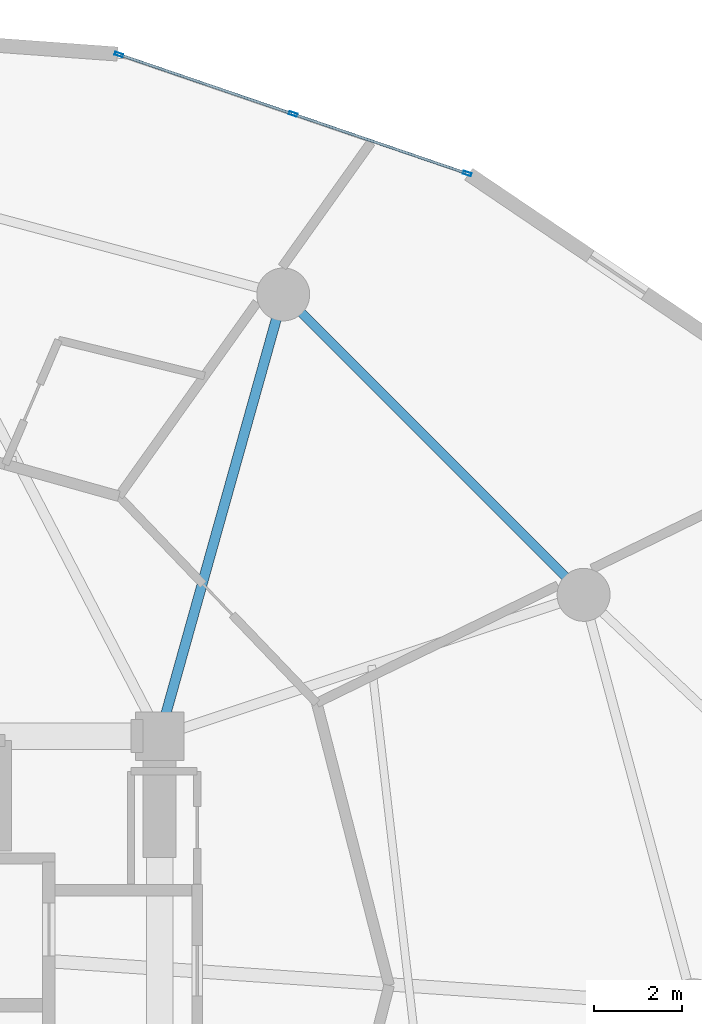
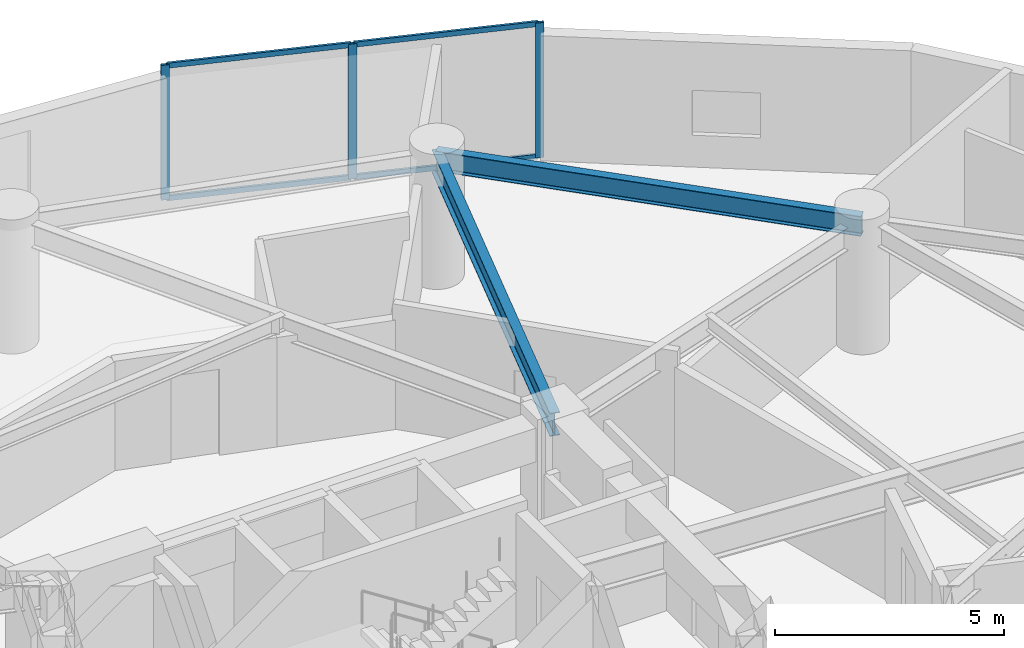
# One storey, part 13 of 20: 7 members, 2 beams, 1 element without a shape of its own.
"""IFC4 building model written with IfcOpenShell, lengths in metres."""

from ifc_helpers import new_model, si_unit, direction, frame, origin, origin_2d, place, context, subcontext, project, spatial, hollow_rectangle, i_section, extrude, source, transform, mapped, material, layer, layer_set, material_profile, profile_set, type_object, element, aggregate, save


model = new_model("IFC4")

# Units and contexts
model_context = context("Model", 3, precision=1e-05, world=origin(), true_north=direction((0.0, 1.0)))
body_context = subcontext(model_context, "Body", "Model", "MODEL_VIEW")
ifc_project = project(units=[si_unit("LENGTHUNIT", "METRE"), si_unit("AREAUNIT", "SQUARE_METRE"), si_unit("VOLUMEUNIT", "CUBIC_METRE"), si_unit("PLANEANGLEUNIT", "RADIAN"), si_unit("MASSUNIT", "GRAM", prefix="KILO")], contexts=[model_context])

# Site, building, storey
site_placement = place(None, origin())
site = spatial("IfcSite", under=ifc_project, at=site_placement, CompositionType="ELEMENT")
building_placement = place(site_placement, origin())
building = spatial("IfcBuilding", under=site, at=building_placement, Name="Solvirekh Grand Hotel", CompositionType="ELEMENT")
storey_placement = place(building_placement, frame((0.0, 0.0, 50.0)))
storey = spatial("IfcBuildingStorey", under=building, at=storey_placement, Name="L11", CompositionType="ELEMENT", Elevation=50.0)

# Beams
ifc_material_1 = material(Name="Steel S355", Category="steel")
ifc_material_profile_1 = material_profile(ifc_material_1, i_section(OverallWidth=0.22802734375, OverallDepth=0.616943359375, WebThickness=0.012939453125, FlangeThickness=0.02001953125, FilletRadius=0.014892578125, at=origin_2d()), Name="W610X140")
ifc_profile_set_1 = profile_set([ifc_material_profile_1], Name="Steel S355")
beam_type_1 = type_object("IfcBeamType", Name="Beam_Radial_W610", PredefinedType="BEAM", material=ifc_profile_set_1)
beam_1_placement = place(storey_placement, frame((6.5, 6.10009765625, 3.031982421875), z_axis=(0.269439084681, 0.963017434757, 0.0), x_axis=(-0.963017434757, 0.269439084681, 0.0)))
element("IfcBeam", 1, at=beam_1_placement, inside=storey, type_object=beam_type_1, Name="L11 radial floor beam R03", PredefinedType="BEAM", context=body_context, shape_type="SweptSolid", body=[
    extrude(i_section(OverallWidth=0.22802734375, OverallDepth=0.616943359375, WebThickness=0.012939453125, FlangeThickness=0.02001953125, FilletRadius=0.014892578125, at=origin_2d()), origin(), (0.0, 0.0, 1.0), 10.39208984375),
])
ifc_material_profile_2 = material_profile(ifc_material_1, i_section(OverallWidth=0.208984375, OverallDepth=0.532958984375, WebThickness=0.010009765625, FlangeThickness=0.014892578125, FilletRadius=0.013916015625, at=origin_2d()), Name="W530X92")
ifc_profile_set_2 = profile_set([ifc_material_profile_2], Name="Steel S355")
beam_type_2 = type_object("IfcBeamType", Name="Spandrel_Ring_W530", PredefinedType="SPANDREL", material=ifc_profile_set_2)
beam_2_placement = place(storey_placement, frame((16.10791015625, 9.300048828125, 3.073974609375), z_axis=(-0.707106781187, 0.707106781187, 0.0), x_axis=(-0.707106781187, -0.707106781187, 0.0)))
element("IfcBeam", 2, at=beam_2_placement, inside=storey, type_object=beam_type_2, Name="L11 perimeter spandrel beam 2", PredefinedType="SPANDREL", context=body_context, shape_type="SweptSolid", body=[
    extrude(i_section(OverallWidth=0.208984375, OverallDepth=0.532958984375, WebThickness=0.010009765625, FlangeThickness=0.014892578125, FilletRadius=0.013916015625, at=origin_2d()), origin(), (0.0, 0.0, 1.0), 9.627685546875),
])

# Curtain wall, members
ifc_material_2 = material(Name="Anodized Bronze Aluminium 6063-T6", Category="aluminium")
ifc_layer = layer(ifc_material_2, 0.18994140625)
ifc_layer_set = layer_set([ifc_layer], Name="Anodized Bronze Aluminium 6063-T6")
curtain_wall_type = type_object("IfcCurtainWallType", Name="CW_Sys2_LowZoneFlushBronzeCW", PredefinedType="NOTDEFINED", material=ifc_layer_set)
curtain_wall_placement = place(storey_placement, origin())
curtain_wall = element("IfcCurtainWall", 3, at=curtain_wall_placement, inside=storey, type_object=curtain_wall_type, Name="L11 unitised bronze-glass curtain wall CW-L11-C05", PredefinedType="NOTDEFINED")
ifc_material_profile_3 = material_profile(ifc_material_2, hollow_rectangle(XDim=0.070068359375, YDim=0.18994140625, WallThickness=0.0048828125, at=origin_2d()), Name="ALU RHS 190X70X5")
ifc_profile_set_3 = profile_set([ifc_material_profile_3], Name="Anodized Bronze Aluminium 6063-T6")
member_type_1 = type_object("IfcMemberType", Name="CWMullion_Sys2", PredefinedType="MULLION", material=ifc_profile_set_3)
shared_shape_1 = source(origin(), body_context, "Body", "SweptSolid", [
    extrude(hollow_rectangle(XDim=0.070068359375, YDim=0.18994140625, WallThickness=0.0048828125, at=origin_2d()), origin(), (0.0, 0.0, 1.0), 3.60009765625),
])
member_1_placement = place(storey_placement, frame((13.470947265625, 18.846435546875, 0.0), z_axis=(0.0, 0.0, 1.0), x_axis=(-0.323564458186, -0.946206130502, 0.0)))
member_1 = element("IfcMember", 4, at=member_1_placement, type_object=member_type_1, Name="U02 mullion 1", PredefinedType="MULLION", context=body_context, shape_type="MappedRepresentation", body=[
    mapped(shared_shape_1, transform((0.0, 0.0, 0.0), x_axis=(1.0, 0.0, 0.0), y_axis=(0.0, 1.0, 0.0), z_axis=(0.0, 0.0, 1.0), scale=1.0)),
])
member_2_placement = place(storey_placement, frame((9.52392578125, 20.196044921875, 0.0), z_axis=(0.0, 0.0, 1.0), x_axis=(-0.323564458186, -0.946206130502, 0.0)))
member_2 = element("IfcMember", 5, at=member_2_placement, type_object=member_type_1, Name="U02 mullion 2", PredefinedType="MULLION", context=body_context, shape_type="MappedRepresentation", body=[
    mapped(shared_shape_1, transform((0.0, 0.0, 0.0), x_axis=(1.0, 0.0, 0.0), y_axis=(0.0, 1.0, 0.0), z_axis=(0.0, 0.0, 1.0), scale=1.0)),
])
member_3_placement = place(storey_placement, frame((5.5771484375, 21.545654296875, 0.0), z_axis=(0.0, 0.0, 1.0), x_axis=(-0.323564458186, -0.946206130502, 0.0)))
member_3 = element("IfcMember", 6, at=member_3_placement, type_object=member_type_1, Name="U02 mullion 3", PredefinedType="MULLION", context=body_context, shape_type="MappedRepresentation", body=[
    mapped(shared_shape_1, transform((0.0, 0.0, 0.0), x_axis=(1.0, 0.0, 0.0), y_axis=(0.0, 1.0, 0.0), z_axis=(0.0, 0.0, 1.0), scale=1.0)),
])
ifc_material_profile_4 = material_profile(ifc_material_2, hollow_rectangle(XDim=0.06005859375, YDim=0.135009765625, WallThickness=0.00390625, at=origin_2d()), Name="ALU RHS 135X60X4")
ifc_profile_set_4 = profile_set([ifc_material_profile_4], Name="Anodized Bronze Aluminium 6063-T6")
member_type_2 = type_object("IfcMemberType", Name="CWTransom_Sys2", PredefinedType="USERDEFINED", material=ifc_profile_set_4)
shared_shape_2 = source(origin(), body_context, "Body", "SweptSolid", [
    extrude(hollow_rectangle(XDim=0.06005859375, YDim=0.135009765625, WallThickness=0.00390625, at=origin_2d()), origin(), (0.0, 0.0, 1.0), 4.101318359375),
])
member_4_placement = place(storey_placement, frame((13.437744140625, 18.857666015625, 0.030029296875), z_axis=(-0.946214349912, 0.323540420999, 0.0), x_axis=(-0.323540420999, -0.946214349912, 0.0)))
member_4 = element("IfcMember", 7, at=member_4_placement, type_object=member_type_2, Name="U02 transom 1.1", ObjectType="TRANSOM", PredefinedType="USERDEFINED", context=body_context, shape_type="MappedRepresentation", body=[
    mapped(shared_shape_2, transform((0.0, 0.0, 0.0), x_axis=(1.0, 0.0, 0.0), y_axis=(0.0, 1.0, 0.0), z_axis=(0.0, 0.0, 1.0), scale=1.0)),
])
member_5_placement = place(storey_placement, frame((13.437744140625, 18.857666015625, 3.570068359375), z_axis=(-0.946214349912, 0.323540420999, 0.0), x_axis=(-0.323540420999, -0.946214349912, 0.0)))
member_5 = element("IfcMember", 8, at=member_5_placement, type_object=member_type_2, Name="U02 transom 1.2", ObjectType="TRANSOM", PredefinedType="USERDEFINED", context=body_context, shape_type="MappedRepresentation", body=[
    mapped(shared_shape_2, transform((0.0, 0.0, 0.0), x_axis=(1.0, 0.0, 0.0), y_axis=(0.0, 1.0, 0.0), z_axis=(0.0, 0.0, 1.0), scale=1.0)),
])
member_6_placement = place(storey_placement, frame((9.490966796875, 20.207275390625, 0.030029296875), z_axis=(-0.946196124621, 0.323593717109, 0.0), x_axis=(-0.323593717109, -0.946196124621, 0.0)))
member_6 = element("IfcMember", 9, at=member_6_placement, type_object=member_type_2, Name="U02 transom 2.1", ObjectType="TRANSOM", PredefinedType="USERDEFINED", context=body_context, shape_type="MappedRepresentation", body=[
    mapped(shared_shape_2, transform((0.0, 0.0, 0.0), x_axis=(1.0, 0.0, 0.0), y_axis=(0.0, 1.0, 0.0), z_axis=(0.0, 0.0, 1.0), scale=1.0)),
])
member_7_placement = place(storey_placement, frame((9.490966796875, 20.207275390625, 3.570068359375), z_axis=(-0.946196124621, 0.323593717109, 0.0), x_axis=(-0.323593717109, -0.946196124621, 0.0)))
member_7 = element("IfcMember", 10, at=member_7_placement, type_object=member_type_2, Name="U02 transom 2.2", ObjectType="TRANSOM", PredefinedType="USERDEFINED", context=body_context, shape_type="MappedRepresentation", body=[
    mapped(shared_shape_2, transform((0.0, 0.0, 0.0), x_axis=(1.0, 0.0, 0.0), y_axis=(0.0, 1.0, 0.0), z_axis=(0.0, 0.0, 1.0), scale=1.0)),
])
aggregate(curtain_wall, [member_1, member_2, member_3, member_4, member_5, member_6, member_7])

save(model, "model.ifc")
